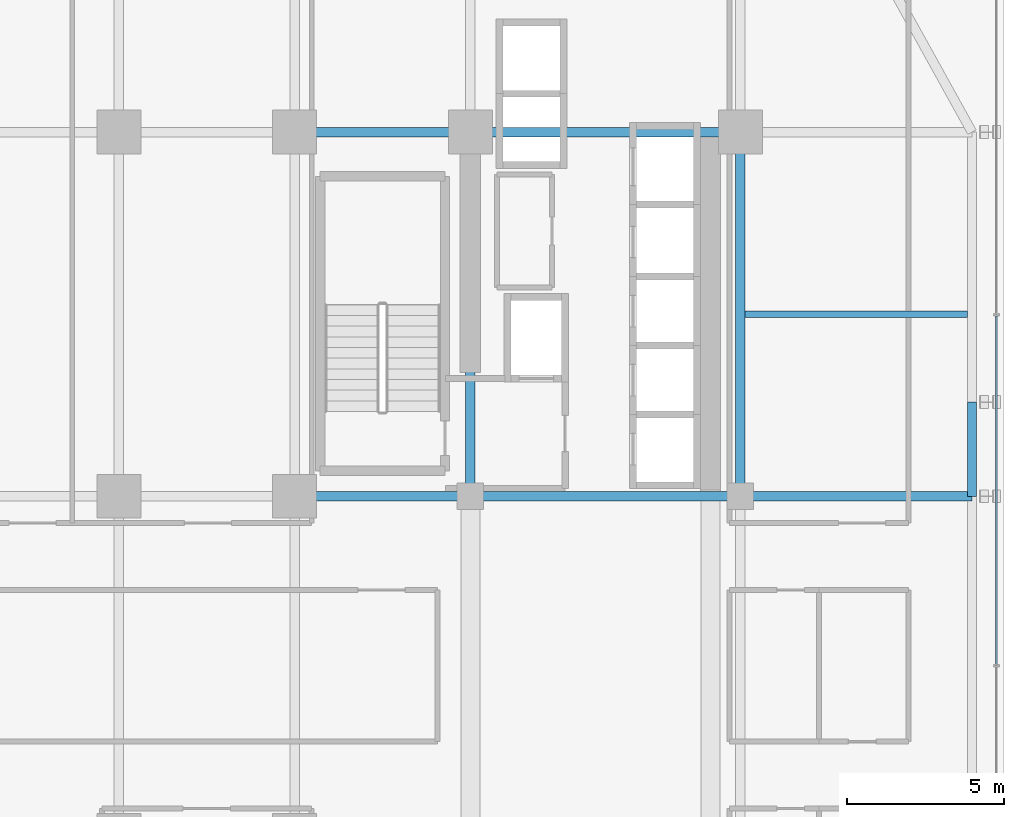
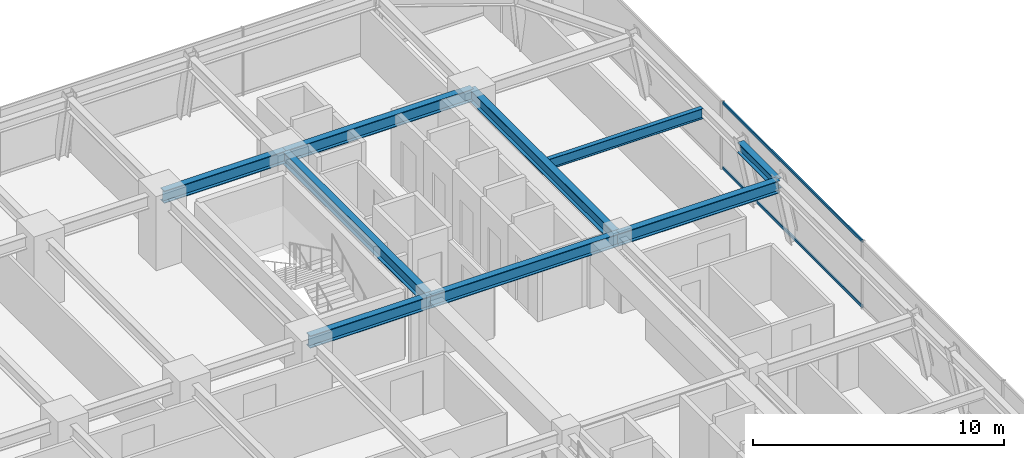
# One storey, part 23 of 35: 9 beams, 2 members, 1 element without a shape of its own.
"""IFC4 building model written with IfcOpenShell, lengths in metres."""

from ifc_helpers import new_model, si_unit, direction, frame, origin, origin_2d, place, context, subcontext, project, spatial, hollow_rectangle, i_section, extrude, source, transform, mapped, material, material_profile, profile_set, type_object, element, aggregate, save


model = new_model("IFC4")

# Units and contexts
model_context = context("Model", 3, precision=1e-05, world=origin(), true_north=direction((0.0, 1.0)))
body_context = subcontext(model_context, "Body", "Model", "MODEL_VIEW")
ifc_project = project(units=[si_unit("LENGTHUNIT", "METRE"), si_unit("AREAUNIT", "SQUARE_METRE"), si_unit("VOLUMEUNIT", "CUBIC_METRE"), si_unit("PLANEANGLEUNIT", "RADIAN"), si_unit("MASSUNIT", "GRAM", prefix="KILO")], contexts=[model_context])

# Site, building, storey
site_placement = place(None, origin())
site = spatial("IfcSite", under=ifc_project, at=site_placement, CompositionType="ELEMENT")
building_placement = place(site_placement, origin())
building = spatial("IfcBuilding", under=site, at=building_placement, Name="Nahalor Promenade Grand Hotel", CompositionType="ELEMENT")
storey_placement = place(building_placement, frame((0.0, 0.0, 79.85009765625)))
storey = spatial("IfcBuildingStorey", under=building, at=storey_placement, Name="L19", CompositionType="ELEMENT", Elevation=79.85009765625)

# Beams
ifc_material_1 = material(Name="Steel S355JR", Category="steel")
ifc_material_profile_1 = material_profile(ifc_material_1, i_section(OverallWidth=0.3, OverallDepth=0.6, WebThickness=0.0155, FlangeThickness=0.03, at=origin_2d()), Name="HEB 600")
ifc_profile_set_1 = profile_set([ifc_material_profile_1], Name="Steel S355JR")
beam_type_1 = type_object("IfcBeamType", Name="Beam-Girder-HEB600", PredefinedType="BEAM", material=ifc_profile_set_1)
shared_shape_1 = source(origin(), body_context, "Body", "SweptSolid", [
    extrude(i_section(OverallWidth=0.3, OverallDepth=0.6, WebThickness=0.0155, FlangeThickness=0.03, at=origin_2d()), origin(), (0.0, 0.0, 1.0), 8.60009765625),
])
for number, where, z_axis, x_axis, name in (
    (1, (8.39990234375, 5.39990234375, 2.989990234375), (1.0, 0.0, 0.0), (0.0, 1.0, 0.0), "BM-L19-GX-2-5"),
    (2, (8.39990234375, 17.0, 2.989990234375), (1.0, 0.0, 0.0), (0.0, 1.0, 0.0), "BM-L19-GX-3-5"),
):
    element("IfcBeam", number, at=place(storey_placement, frame(where, z_axis=z_axis, x_axis=x_axis)), inside=storey, type_object=beam_type_1, Name=name, PredefinedType="BEAM", context=body_context, shape_type="MappedRepresentation", body=[
        mapped(shared_shape_1, transform((0.0, 0.0, 0.0), scale=1.0)),
    ])
shared_shape_2 = source(origin(), body_context, "Body", "SweptSolid", [
    extrude(i_section(OverallWidth=0.3, OverallDepth=0.6, WebThickness=0.0155, FlangeThickness=0.03, at=origin_2d()), origin(), (0.0, 0.0, 1.0), 5.599853515625),
])
for number, where, z_axis, x_axis, name in (
    (3, (2.800048828125, 5.39990234375, 2.989990234375), (1.0, 0.0, 0.0), (0.0, 1.0, 0.0), "BM-L19-GX-2-4"),
    (4, (2.800048828125, 17.0, 2.989990234375), (1.0, 0.0, 0.0), (0.0, 1.0, 0.0), "BM-L19-GX-3-4"),
):
    element("IfcBeam", number, at=place(storey_placement, frame(where, z_axis=z_axis, x_axis=x_axis)), inside=storey, type_object=beam_type_1, Name=name, PredefinedType="BEAM", context=body_context, shape_type="MappedRepresentation", body=[
        mapped(shared_shape_2, transform((0.0, 0.0, 0.0), scale=1.0)),
    ])
shared_shape_3 = source(origin(), body_context, "Body", "SweptSolid", [
    extrude(i_section(OverallWidth=0.3, OverallDepth=0.6, WebThickness=0.0155, FlangeThickness=0.03, at=origin_2d()), origin(), (0.0, 0.0, 1.0), 11.60009765625),
])
for number, where, z_axis, x_axis, name in (
    (5, (8.39990234375, 5.39990234375, 2.989990234375), (0.0, 1.0, 0.0), (-1.0, 0.0, 0.0), "BM-L19-GY-4-3"),
    (6, (17.0, 5.39990234375, 2.989990234375), (0.0, 1.0, 0.0), (-1.0, 0.0, 0.0), "BM-L19-GY-5-3"),
):
    element("IfcBeam", number, at=place(storey_placement, frame(where, z_axis=z_axis, x_axis=x_axis)), inside=storey, type_object=beam_type_1, Name=name, PredefinedType="BEAM", context=body_context, shape_type="MappedRepresentation", body=[
        mapped(shared_shape_3, transform((0.0, 0.0, 0.0), scale=1.0)),
    ])
ifc_material_profile_2 = material_profile(ifc_material_1, i_section(OverallWidth=0.3, OverallDepth=0.5, WebThickness=0.0145, FlangeThickness=0.028, at=origin_2d()), Name="HEB 500")
ifc_profile_set_2 = profile_set([ifc_material_profile_2], Name="Steel S355JR")
beam_type_2 = type_object("IfcBeamType", Name="Beam-Spandrel-HEB500", PredefinedType="SPANDREL", material=ifc_profile_set_2)
shared_shape_4 = source(origin(), body_context, "Body", "SweptSolid", [
    extrude(i_section(OverallWidth=0.3, OverallDepth=0.5, WebThickness=0.0145, FlangeThickness=0.028, at=origin_2d()), origin(), (0.0, 0.0, 1.0), 3.0),
])
beam_1_placement = place(storey_placement, frame((24.3798828125, 5.39990234375, 3.039794921875), z_axis=(0.0, 1.0, 0.0), x_axis=(-1.0, 0.0, 0.0)))
element("IfcBeam", 7, at=beam_1_placement, inside=storey, type_object=beam_type_2, Name="BM-L19-SP-E-3", PredefinedType="SPANDREL", context=body_context, shape_type="MappedRepresentation", body=[
    mapped(shared_shape_4, transform((0.0, 0.0, 0.0), scale=1.0)),
])
shared_shape_5 = source(origin(), body_context, "Body", "SweptSolid", [
    extrude(i_section(OverallWidth=0.3, OverallDepth=0.6, WebThickness=0.0155, FlangeThickness=0.03, at=origin_2d()), origin(), (0.0, 0.0, 1.0), 7.3798828125),
])
beam_2_placement = place(storey_placement, frame((17.0, 5.39990234375, 2.989990234375), z_axis=(1.0, 0.0, 0.0), x_axis=(0.0, 1.0, 0.0)))
element("IfcBeam", 8, at=beam_2_placement, inside=storey, type_object=beam_type_1, Name="BM-L19-GX-2-6", PredefinedType="BEAM", context=body_context, shape_type="MappedRepresentation", body=[
    mapped(shared_shape_5, transform((0.0, 0.0, 0.0), scale=1.0)),
])
ifc_material_profile_3 = material_profile(ifc_material_1, i_section(OverallWidth=0.2, OverallDepth=0.5, WebThickness=0.0102, FlangeThickness=0.016, at=origin_2d()), Name="IPE 500")
ifc_profile_set_3 = profile_set([ifc_material_profile_3], Name="Steel S355JR")
beam_type_3 = type_object("IfcBeamType", Name="Beam-Joist-IPE500", PredefinedType="JOIST", material=ifc_profile_set_3)
shared_shape_6 = source(origin(), body_context, "Body", "SweptSolid", [
    extrude(i_section(OverallWidth=0.2, OverallDepth=0.5, WebThickness=0.0102, FlangeThickness=0.016, at=origin_2d()), origin(), (0.0, 0.0, 1.0), 7.080078125),
])
beam_3_placement = place(storey_placement, frame((17.14990234375, 11.199951171875, 3.039794921875), z_axis=(1.0, 0.0, 0.0), x_axis=(0.0, 1.0, 0.0)))
element("IfcBeam", 9, at=beam_3_placement, inside=storey, type_object=beam_type_3, Name="BM-L19-JSE-1-2", PredefinedType="JOIST", context=body_context, shape_type="MappedRepresentation", body=[
    mapped(shared_shape_6, transform((0.0, 0.0, 0.0), scale=1.0)),
])

# Curtain wall, members
ifc_material_2 = material(Name="Anodised Bronze Aluminium EN AW-6063 T6", Category="aluminium")
curtain_wall_type = type_object("IfcCurtainWallType", Name="CW2 Typical Hotel Flush Bronze Unitised Curtain Wall", PredefinedType="USERDEFINED", material=ifc_material_2)
curtain_wall_placement = place(storey_placement, origin())
curtain_wall = element("IfcCurtainWall", 10, at=curtain_wall_placement, inside=storey, type_object=curtain_wall_type, Name="L19 Curtain Wall CW-L19-E-1", ObjectType="UNITISED_CURTAIN_WALL", PredefinedType="USERDEFINED")
ifc_material_profile_4 = material_profile(ifc_material_2, hollow_rectangle(XDim=0.065, YDim=0.13, WallThickness=0.004, at=origin_2d()), Name="CWT 65x130x4")
ifc_profile_set_4 = profile_set([ifc_material_profile_4], Name="Anodised Bronze Aluminium EN AW-6063 T6")
member_type = type_object("IfcMemberType", Name="CWT2 Typical Bronze Transom 65x130", PredefinedType="USERDEFINED", material=ifc_profile_set_4)
shared_shape_7 = source(origin(), body_context, "Body", "SweptSolid", [
    extrude(hollow_rectangle(XDim=0.065, YDim=0.13, WallThickness=0.004, at=origin_2d()), origin(), (0.0, 0.0, 1.0), 11.114990234375),
])
member_1_placement = place(storey_placement, frame((25.159912109375, 0.032470703125, 0.06494140625), z_axis=(0.0, 1.0, 0.0), x_axis=(-1.0, 0.0, 0.0)))
member_1 = element("IfcMember", 11, at=member_1_placement, type_object=member_type, Name="CW-L19-E-1 Transom 2-0", ObjectType="TRANSOM", PredefinedType="USERDEFINED", context=body_context, shape_type="MappedRepresentation", body=[
    mapped(shared_shape_7, transform((0.0, 0.0, 0.0), scale=1.0)),
])
member_2_placement = place(storey_placement, frame((25.159912109375, 0.032470703125, 3.224853515625), z_axis=(0.0, 1.0, 0.0), x_axis=(-1.0, 0.0, 0.0)))
member_2 = element("IfcMember", 12, at=member_2_placement, type_object=member_type, Name="CW-L19-E-1 Transom 2-1", ObjectType="TRANSOM", PredefinedType="USERDEFINED", context=body_context, shape_type="MappedRepresentation", body=[
    mapped(shared_shape_7, transform((0.0, 0.0, 0.0), scale=1.0)),
])
aggregate(curtain_wall, [member_1, member_2])

save(model, "model.ifc")
